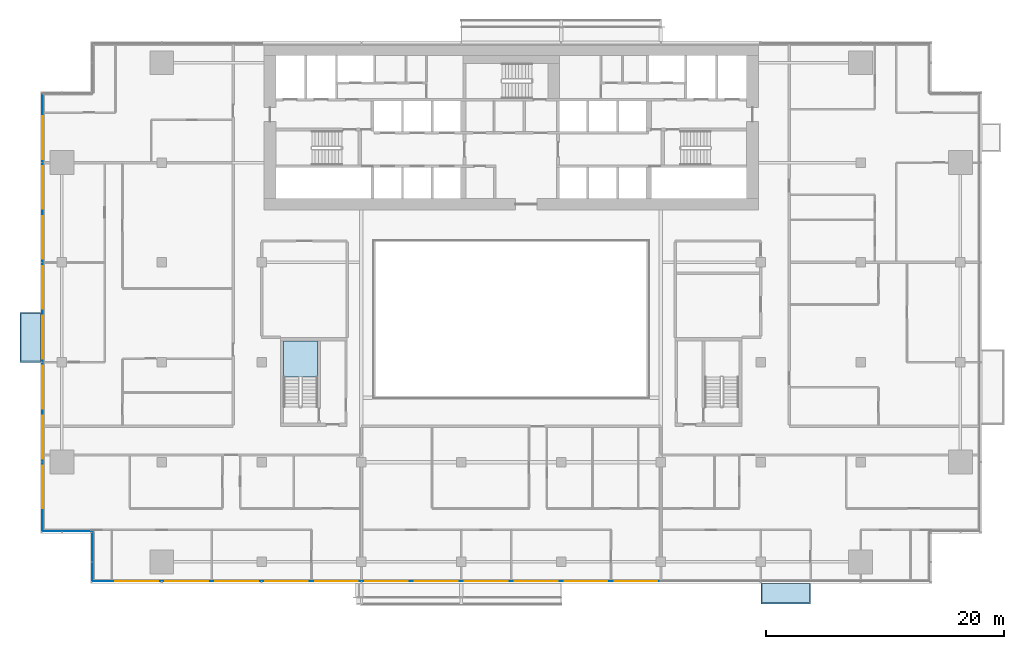
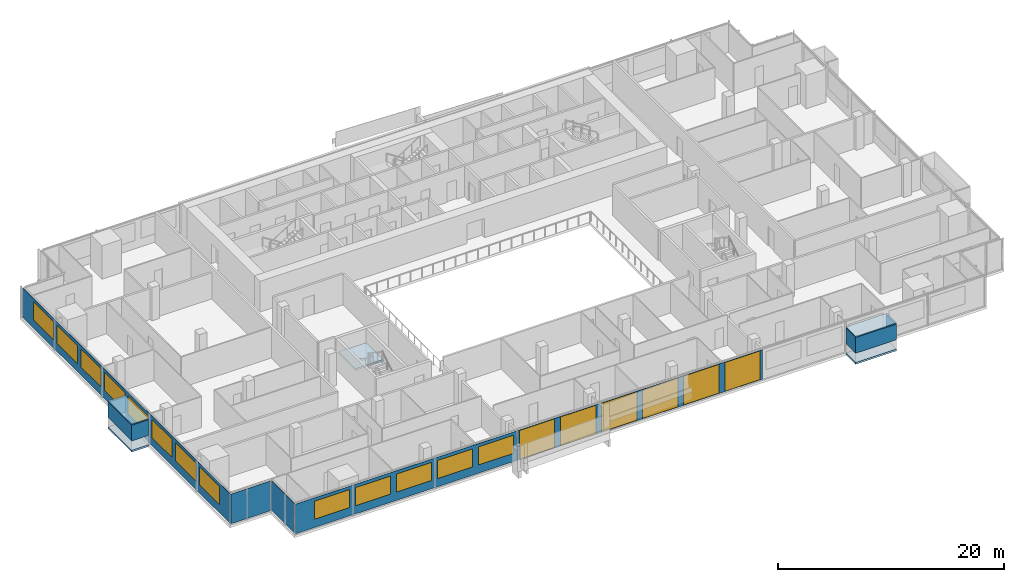
# One storey, part 14 of 26: 19 windows, 9 plates, 3 slabs, 19 openings, 5 elements without a shape of their own.
"""IFC4 building model written with IfcOpenShell, lengths in metres."""

from ifc_helpers import new_model, si_unit, direction, frame, frame_2d, origin, place, context, subcontext, project, spatial, polyline, rectangle, outline, extrude, material, layer, layer_set, type_object, element, fill, aggregate, save


model = new_model("IFC4")

# Units and contexts
model_context = context("Model", 3, precision=1e-05, world=origin(), true_north=direction((0.0, 1.0)))
body_context = subcontext(model_context, "Body", "Model", "MODEL_VIEW")
ifc_project = project(units=[si_unit("LENGTHUNIT", "METRE"), si_unit("AREAUNIT", "SQUARE_METRE"), si_unit("VOLUMEUNIT", "CUBIC_METRE"), si_unit("PLANEANGLEUNIT", "RADIAN"), si_unit("MASSUNIT", "GRAM", prefix="KILO")], contexts=[model_context])

# Site, building, storey
site_placement = place(None, origin())
site = spatial("IfcSite", under=ifc_project, at=site_placement, CompositionType="ELEMENT")
building_placement = place(site_placement, origin())
building = spatial("IfcBuilding", under=site, at=building_placement, Name="Saffron Gate Tower", CompositionType="ELEMENT")
storey_placement = place(building_placement, frame((0.0, 0.0, 120.449951171875)))
storey = spatial("IfcBuildingStorey", under=building, at=storey_placement, Name="L28", CompositionType="ELEMENT", Elevation=120.449951171875)

# Curtain wall, plates, openings, windows
ifc_material_1 = material(Name="Aluminium, bronze anodised", Category="aluminium")
curtain_wall_type_1 = type_object("IfcCurtainWallType", Name="CWS1 curtain wall front facade", PredefinedType="NOTDEFINED", material=ifc_material_1)
curtain_wall_1_placement = place(storey_placement, origin())
curtain_wall_1 = element("IfcCurtainWall", 1, at=curtain_wall_1_placement, inside=storey, type_object=curtain_wall_type_1, Name="CWS1 run 1", PredefinedType="NOTDEFINED")
ifc_material_2 = material(Name="Clear low-iron laminated glass", Category="glass")
ifc_layer_1 = layer(ifc_material_2, 0.028076171875)
ifc_layer_set_1 = layer_set([ifc_layer_1], Name="CWS1 clear glass")
plate_type_1 = type_object("IfcPlateType", Name="CWS1 clear glass", PredefinedType="CURTAIN_PANEL", material=ifc_layer_set_1)
plate_1_placement = place(storey_placement, frame((75.030029296875, 30.174072265625, 0.0), z_axis=(0.0, 0.0, 1.0), x_axis=(1.0, 0.0, 0.0)))
plate_1 = element("IfcPlate", 2, at=plate_1_placement, type_object=plate_type_1, Name="CWS1 clear glass panel", PredefinedType="CURTAIN_PANEL", context=body_context, shape_type="SweptSolid", body=[
    extrude(rectangle(XDim=25.139892578125, YDim=0.028076171875, at=frame_2d((12.56982421875, 0.0))), origin(), (0.0, 0.0, 1.0), 3.199951171875),
])
opening_1_placement = place(plate_1_placement, frame((0.27001953125, 0.0, 0.050048828125)))
opening_1 = element("IfcOpeningElement", 3, at=opening_1_placement, cuts=plate_1, Name="Opening WA", PredefinedType="OPENING", context=body_context, shape_type="SweptSolid", body=[
    extrude(rectangle(XDim=3.60009765625, YDim=3.10009765625, at=frame_2d((1.800048828125, 1.550048828125))), frame((0.0, 0.02392578125, 0.0), z_axis=(0.0, -1.0, 0.0), x_axis=(1.0, 0.0, 0.0)), (0.0, 0.0, 1.0), 0.048095703125),
])
opening_2_placement = place(plate_1_placement, frame((4.469970703125, 0.0, 0.050048828125)))
opening_2 = element("IfcOpeningElement", 4, at=opening_2_placement, cuts=plate_1, Name="Opening WA", PredefinedType="OPENING", context=body_context, shape_type="SweptSolid", body=[
    extrude(rectangle(XDim=3.60009765625, YDim=3.10009765625, at=frame_2d((1.800048828125, 1.550048828125))), frame((0.0, 0.02392578125, 0.0), z_axis=(0.0, -1.0, 0.0), x_axis=(1.0, 0.0, 0.0)), (0.0, 0.0, 1.0), 0.048095703125),
])
opening_3_placement = place(plate_1_placement, frame((8.669921875, 0.0, 0.050048828125)))
opening_3 = element("IfcOpeningElement", 5, at=opening_3_placement, cuts=plate_1, Name="Opening WA", PredefinedType="OPENING", context=body_context, shape_type="SweptSolid", body=[
    extrude(rectangle(XDim=3.60009765625, YDim=3.10009765625, at=frame_2d((1.800048828125, 1.550048828125))), frame((0.0, 0.02392578125, 0.0), z_axis=(0.0, -1.0, 0.0), x_axis=(1.0, 0.0, 0.0)), (0.0, 0.0, 1.0), 0.048095703125),
])
opening_4_placement = place(plate_1_placement, frame((12.8701171875, 0.0, 0.050048828125)))
opening_4 = element("IfcOpeningElement", 6, at=opening_4_placement, cuts=plate_1, Name="Opening WA", PredefinedType="OPENING", context=body_context, shape_type="SweptSolid", body=[
    extrude(rectangle(XDim=3.60009765625, YDim=3.10009765625, at=frame_2d((1.800048828125, 1.550048828125))), frame((0.0, 0.02392578125, 0.0), z_axis=(0.0, -1.0, 0.0), x_axis=(1.0, 0.0, 0.0)), (0.0, 0.0, 1.0), 0.048095703125),
])
opening_5_placement = place(plate_1_placement, frame((17.070068359375, 0.0, 0.050048828125)))
opening_5 = element("IfcOpeningElement", 7, at=opening_5_placement, cuts=plate_1, Name="Opening WA", PredefinedType="OPENING", context=body_context, shape_type="SweptSolid", body=[
    extrude(rectangle(XDim=3.60009765625, YDim=3.10009765625, at=frame_2d((1.800048828125, 1.550048828125))), frame((0.0, 0.02392578125, 0.0), z_axis=(0.0, -1.0, 0.0), x_axis=(1.0, 0.0, 0.0)), (0.0, 0.0, 1.0), 0.048095703125),
])
opening_6_placement = place(plate_1_placement, frame((21.27001953125, 0.0, 0.050048828125)))
opening_6 = element("IfcOpeningElement", 8, at=opening_6_placement, cuts=plate_1, Name="Opening WA", PredefinedType="OPENING", context=body_context, shape_type="SweptSolid", body=[
    extrude(rectangle(XDim=3.60009765625, YDim=3.10009765625, at=frame_2d((1.800048828125, 1.550048828125))), frame((0.0, 0.02392578125, 0.0), z_axis=(0.0, -1.0, 0.0), x_axis=(1.0, 0.0, 0.0)), (0.0, 0.0, 1.0), 0.048095703125),
])
ifc_material_3 = material(Name="Clear low-iron laminated glass in bronze frame", Category="glass")
ifc_layer_2 = layer(ifc_material_3, 0.06005859375)
ifc_layer_set_2 = layer_set([ifc_layer_2], Name="WA operable atrium unit 3600x3100")
window_type_1 = type_object("IfcWindowType", Name="WA operable atrium unit 3600x3100", PartitioningType="DOUBLE_PANEL_HORIZONTAL", PredefinedType="WINDOW", material=ifc_layer_set_2)
window_1_placement = place(opening_1_placement, origin())
window_1 = element("IfcWindow", 9, at=window_1_placement, type_object=window_type_1, Name="WA operable atrium unit", OverallHeight=3.10009765625, OverallWidth=3.60009765625, PartitioningType="SINGLE_PANEL", PredefinedType="WINDOW", context=body_context, shape_type="SweptSolid", body=[
    extrude(rectangle(XDim=3.60009765625, YDim=3.10009765625, at=frame_2d((1.800048828125, 1.550048828125))), frame((0.0, 0.013671875, 0.0), z_axis=(0.0, -1.0, 0.0), x_axis=(1.0, 0.0, 0.0)), (0.0, 0.0, 1.0), 0.027587890625),
])
fill(opening_1, window_1)
window_2_placement = place(opening_2_placement, origin())
window_2 = element("IfcWindow", 10, at=window_2_placement, type_object=window_type_1, Name="WA operable atrium unit", OverallHeight=3.10009765625, OverallWidth=3.60009765625, PartitioningType="SINGLE_PANEL", PredefinedType="WINDOW", context=body_context, shape_type="SweptSolid", body=[
    extrude(rectangle(XDim=3.60009765625, YDim=3.10009765625, at=frame_2d((1.800048828125, 1.550048828125))), frame((0.0, 0.013671875, 0.0), z_axis=(0.0, -1.0, 0.0), x_axis=(1.0, 0.0, 0.0)), (0.0, 0.0, 1.0), 0.027587890625),
])
fill(opening_2, window_2)
window_3_placement = place(opening_3_placement, origin())
window_3 = element("IfcWindow", 11, at=window_3_placement, type_object=window_type_1, Name="WA operable atrium unit", OverallHeight=3.10009765625, OverallWidth=3.60009765625, PartitioningType="SINGLE_PANEL", PredefinedType="WINDOW", context=body_context, shape_type="SweptSolid", body=[
    extrude(rectangle(XDim=3.60009765625, YDim=3.10009765625, at=frame_2d((1.800048828125, 1.550048828125))), frame((0.0, 0.013671875, 0.0), z_axis=(0.0, -1.0, 0.0), x_axis=(1.0, 0.0, 0.0)), (0.0, 0.0, 1.0), 0.027587890625),
])
fill(opening_3, window_3)
window_4_placement = place(opening_4_placement, origin())
window_4 = element("IfcWindow", 12, at=window_4_placement, type_object=window_type_1, Name="WA operable atrium unit", OverallHeight=3.10009765625, OverallWidth=3.60009765625, PartitioningType="SINGLE_PANEL", PredefinedType="WINDOW", context=body_context, shape_type="SweptSolid", body=[
    extrude(rectangle(XDim=3.60009765625, YDim=3.10009765625, at=frame_2d((1.800048828125, 1.550048828125))), frame((0.0, 0.013671875, 0.0), z_axis=(0.0, -1.0, 0.0), x_axis=(1.0, 0.0, 0.0)), (0.0, 0.0, 1.0), 0.027587890625),
])
fill(opening_4, window_4)
window_5_placement = place(opening_5_placement, origin())
window_5 = element("IfcWindow", 13, at=window_5_placement, type_object=window_type_1, Name="WA operable atrium unit", OverallHeight=3.10009765625, OverallWidth=3.60009765625, PartitioningType="SINGLE_PANEL", PredefinedType="WINDOW", context=body_context, shape_type="SweptSolid", body=[
    extrude(rectangle(XDim=3.60009765625, YDim=3.10009765625, at=frame_2d((1.800048828125, 1.550048828125))), frame((0.0, 0.013671875, 0.0), z_axis=(0.0, -1.0, 0.0), x_axis=(1.0, 0.0, 0.0)), (0.0, 0.0, 1.0), 0.027587890625),
])
fill(opening_5, window_5)
window_6_placement = place(opening_6_placement, origin())
window_6 = element("IfcWindow", 14, at=window_6_placement, type_object=window_type_1, Name="WA operable atrium unit", OverallHeight=3.10009765625, OverallWidth=3.60009765625, PartitioningType="SINGLE_PANEL", PredefinedType="WINDOW", context=body_context, shape_type="SweptSolid", body=[
    extrude(rectangle(XDim=3.60009765625, YDim=3.10009765625, at=frame_2d((1.800048828125, 1.550048828125))), frame((0.0, 0.013671875, 0.0), z_axis=(0.0, -1.0, 0.0), x_axis=(1.0, 0.0, 0.0)), (0.0, 0.0, 1.0), 0.027587890625),
])
fill(opening_6, window_6)
ifc_material_4 = material(Name="Fritted bronze-tinted laminated glass", Category="glass")
ifc_layer_3 = layer(ifc_material_4, 0.028076171875)
ifc_layer_set_3 = layer_set([ifc_layer_3], Name="CWS1 fixed glass")
plate_type_2 = type_object("IfcPlateType", Name="CWS1 fixed glass", PredefinedType="CURTAIN_PANEL", material=ifc_layer_set_3)
plate_2_placement = place(storey_placement, frame((52.387939453125, 30.174072265625, 0.0), z_axis=(0.0, 0.0, 1.0), x_axis=(1.0, 0.0, 0.0)))
plate_2 = element("IfcPlate", 15, at=plate_2_placement, type_object=plate_type_2, Name="CWS1 glass panel", PredefinedType="CURTAIN_PANEL", context=body_context, shape_type="SweptSolid", body=[
    extrude(rectangle(XDim=22.64208984375, YDim=0.028076171875, at=frame_2d((11.321044921875, 0.0))), origin(), (0.0, 0.0, 1.0), 3.199951171875),
])
opening_7_placement = place(plate_2_placement, frame((1.912109375, 0.0, 0.89990234375)))
opening_7 = element("IfcOpeningElement", 16, at=opening_7_placement, cuts=plate_2, Name="Opening W1", PredefinedType="OPENING", context=body_context, shape_type="SweptSolid", body=[
    extrude(rectangle(XDim=3.60009765625, YDim=1.949951171875, at=frame_2d((1.800048828125, 0.97509765625))), frame((0.0, 0.02392578125, 0.0), z_axis=(0.0, -1.0, 0.0), x_axis=(1.0, 0.0, 0.0)), (0.0, 0.0, 1.0), 0.048095703125),
])
opening_8_placement = place(plate_2_placement, frame((6.112060546875, 0.0, 0.89990234375)))
opening_8 = element("IfcOpeningElement", 17, at=opening_8_placement, cuts=plate_2, Name="Opening W1", PredefinedType="OPENING", context=body_context, shape_type="SweptSolid", body=[
    extrude(rectangle(XDim=3.60009765625, YDim=1.949951171875, at=frame_2d((1.800048828125, 0.97509765625))), frame((0.0, 0.02392578125, 0.0), z_axis=(0.0, -1.0, 0.0), x_axis=(1.0, 0.0, 0.0)), (0.0, 0.0, 1.0), 0.048095703125),
])
opening_9_placement = place(plate_2_placement, frame((10.31201171875, 0.0, 0.89990234375)))
opening_9 = element("IfcOpeningElement", 18, at=opening_9_placement, cuts=plate_2, Name="Opening W1", PredefinedType="OPENING", context=body_context, shape_type="SweptSolid", body=[
    extrude(rectangle(XDim=3.60009765625, YDim=1.949951171875, at=frame_2d((1.800048828125, 0.97509765625))), frame((0.0, 0.02392578125, 0.0), z_axis=(0.0, -1.0, 0.0), x_axis=(1.0, 0.0, 0.0)), (0.0, 0.0, 1.0), 0.048095703125),
])
opening_10_placement = place(plate_2_placement, frame((14.511962890625, 0.0, 0.89990234375)))
opening_10 = element("IfcOpeningElement", 19, at=opening_10_placement, cuts=plate_2, Name="Opening W1", PredefinedType="OPENING", context=body_context, shape_type="SweptSolid", body=[
    extrude(rectangle(XDim=3.60009765625, YDim=1.949951171875, at=frame_2d((1.800048828125, 0.97509765625))), frame((0.0, 0.02392578125, 0.0), z_axis=(0.0, -1.0, 0.0), x_axis=(1.0, 0.0, 0.0)), (0.0, 0.0, 1.0), 0.048095703125),
])
opening_11_placement = place(plate_2_placement, frame((18.7119140625, 0.0, 0.89990234375)))
opening_11 = element("IfcOpeningElement", 20, at=opening_11_placement, cuts=plate_2, Name="Opening W1", PredefinedType="OPENING", context=body_context, shape_type="SweptSolid", body=[
    extrude(rectangle(XDim=3.60009765625, YDim=1.949951171875, at=frame_2d((1.800048828125, 0.97509765625))), frame((0.0, 0.02392578125, 0.0), z_axis=(0.0, -1.0, 0.0), x_axis=(1.0, 0.0, 0.0)), (0.0, 0.0, 1.0), 0.048095703125),
])
ifc_material_5 = material(Name="Fritted bronze-tinted laminated glass in bronze frame", Category="glass")
ifc_layer_4 = layer(ifc_material_5, 0.06005859375)
ifc_layer_set_4 = layer_set([ifc_layer_4], Name="W1 operable panel 3600x1950")
window_type_2 = type_object("IfcWindowType", Name="W1 operable panel 3600x1950", PartitioningType="DOUBLE_PANEL_HORIZONTAL", PredefinedType="WINDOW", material=ifc_layer_set_4)
window_7_placement = place(opening_7_placement, origin())
window_7 = element("IfcWindow", 21, at=window_7_placement, type_object=window_type_2, Name="W1 operable panel", OverallHeight=1.949951171875, OverallWidth=3.60009765625, PartitioningType="SINGLE_PANEL", PredefinedType="WINDOW", context=body_context, shape_type="SweptSolid", body=[
    extrude(rectangle(XDim=3.60009765625, YDim=1.949951171875, at=frame_2d((1.800048828125, 0.97509765625))), frame((0.0, 0.013671875, 0.0), z_axis=(0.0, -1.0, 0.0), x_axis=(1.0, 0.0, 0.0)), (0.0, 0.0, 1.0), 0.027587890625),
])
fill(opening_7, window_7)
window_8_placement = place(opening_8_placement, origin())
window_8 = element("IfcWindow", 22, at=window_8_placement, type_object=window_type_2, Name="W1 operable panel", OverallHeight=1.949951171875, OverallWidth=3.60009765625, PartitioningType="SINGLE_PANEL", PredefinedType="WINDOW", context=body_context, shape_type="SweptSolid", body=[
    extrude(rectangle(XDim=3.60009765625, YDim=1.949951171875, at=frame_2d((1.800048828125, 0.97509765625))), frame((0.0, 0.013671875, 0.0), z_axis=(0.0, -1.0, 0.0), x_axis=(1.0, 0.0, 0.0)), (0.0, 0.0, 1.0), 0.027587890625),
])
fill(opening_8, window_8)
window_9_placement = place(opening_9_placement, origin())
window_9 = element("IfcWindow", 23, at=window_9_placement, type_object=window_type_2, Name="W1 operable panel", OverallHeight=1.949951171875, OverallWidth=3.60009765625, PartitioningType="SINGLE_PANEL", PredefinedType="WINDOW", context=body_context, shape_type="SweptSolid", body=[
    extrude(rectangle(XDim=3.60009765625, YDim=1.949951171875, at=frame_2d((1.800048828125, 0.97509765625))), frame((0.0, 0.013671875, 0.0), z_axis=(0.0, -1.0, 0.0), x_axis=(1.0, 0.0, 0.0)), (0.0, 0.0, 1.0), 0.027587890625),
])
fill(opening_9, window_9)
window_10_placement = place(opening_10_placement, origin())
window_10 = element("IfcWindow", 24, at=window_10_placement, type_object=window_type_2, Name="W1 operable panel", OverallHeight=1.949951171875, OverallWidth=3.60009765625, PartitioningType="SINGLE_PANEL", PredefinedType="WINDOW", context=body_context, shape_type="SweptSolid", body=[
    extrude(rectangle(XDim=3.60009765625, YDim=1.949951171875, at=frame_2d((1.800048828125, 0.97509765625))), frame((0.0, 0.013671875, 0.0), z_axis=(0.0, -1.0, 0.0), x_axis=(1.0, 0.0, 0.0)), (0.0, 0.0, 1.0), 0.027587890625),
])
fill(opening_10, window_10)
window_11_placement = place(opening_11_placement, origin())
window_11 = element("IfcWindow", 25, at=window_11_placement, type_object=window_type_2, Name="W1 operable panel", OverallHeight=1.949951171875, OverallWidth=3.60009765625, PartitioningType="SINGLE_PANEL", PredefinedType="WINDOW", context=body_context, shape_type="SweptSolid", body=[
    extrude(rectangle(XDim=3.60009765625, YDim=1.949951171875, at=frame_2d((1.800048828125, 0.97509765625))), frame((0.0, 0.013671875, 0.0), z_axis=(0.0, -1.0, 0.0), x_axis=(1.0, 0.0, 0.0)), (0.0, 0.0, 1.0), 0.027587890625),
])
fill(opening_11, window_11)
aggregate(curtain_wall_1, [plate_2, plate_1, window_7, window_8, window_9, window_10, window_11, window_1, window_2, window_3, window_4, window_5, window_6])

# Curtain wall, plate, openings, windows
curtain_wall_type_2 = type_object("IfcCurtainWallType", Name="CWS2 curtain wall side facades", PredefinedType="NOTDEFINED", material=ifc_material_1)
curtain_wall_2_placement = place(storey_placement, origin())
curtain_wall_2 = element("IfcCurtainWall", 26, at=curtain_wall_2_placement, inside=storey, type_object=curtain_wall_type_2, Name="CWS2 run 10", PredefinedType="NOTDEFINED")
ifc_layer_5 = layer(ifc_material_4, 0.028076171875)
ifc_layer_set_5 = layer_set([ifc_layer_5], Name="CWS2 fixed glass")
plate_type_3 = type_object("IfcPlateType", Name="CWS2 fixed glass", PredefinedType="CURTAIN_PANEL", material=ifc_layer_set_5)
plate_3_placement = place(storey_placement, frame((48.174072265625, 71.2119140625, 0.0), z_axis=(0.0, 0.0, 1.0), x_axis=(0.0, -1.0, 0.0)))
plate_3 = element("IfcPlate", 27, at=plate_3_placement, type_object=plate_type_3, Name="CWS2 glass panel", PredefinedType="CURTAIN_PANEL", context=body_context, shape_type="SweptSolid", body=[
    extrude(rectangle(XDim=36.823974609375, YDim=0.028076171875, at=frame_2d((18.412109375, 0.0))), origin(), (0.0, 0.0, 1.0), 3.199951171875),
])
opening_12_placement = place(plate_3_placement, frame((1.912109375, 0.0, 0.89990234375)))
opening_12 = element("IfcOpeningElement", 28, at=opening_12_placement, cuts=plate_3, Name="Opening W1", PredefinedType="OPENING", context=body_context, shape_type="SweptSolid", body=[
    extrude(rectangle(XDim=3.60009765625, YDim=1.949951171875, at=frame_2d((1.800048828125, 0.97509765625))), frame((0.0, 0.02392578125, 0.0), z_axis=(0.0, -1.0, 0.0), x_axis=(1.0, 0.0, 0.0)), (0.0, 0.0, 1.0), 0.048095703125),
])
opening_13_placement = place(plate_3_placement, frame((6.112060546875, 0.0, 0.89990234375)))
opening_13 = element("IfcOpeningElement", 29, at=opening_13_placement, cuts=plate_3, Name="Opening W1", PredefinedType="OPENING", context=body_context, shape_type="SweptSolid", body=[
    extrude(rectangle(XDim=3.60009765625, YDim=1.949951171875, at=frame_2d((1.800048828125, 0.97509765625))), frame((0.0, 0.02392578125, 0.0), z_axis=(0.0, -1.0, 0.0), x_axis=(1.0, 0.0, 0.0)), (0.0, 0.0, 1.0), 0.048095703125),
])
opening_14_placement = place(plate_3_placement, frame((10.31201171875, 0.0, 0.89990234375)))
opening_14 = element("IfcOpeningElement", 30, at=opening_14_placement, cuts=plate_3, Name="Opening W1", PredefinedType="OPENING", context=body_context, shape_type="SweptSolid", body=[
    extrude(rectangle(XDim=3.60009765625, YDim=1.949951171875, at=frame_2d((1.800048828125, 0.97509765625))), frame((0.0, 0.02392578125, 0.0), z_axis=(0.0, -1.0, 0.0), x_axis=(1.0, 0.0, 0.0)), (0.0, 0.0, 1.0), 0.048095703125),
])
opening_15_placement = place(plate_3_placement, frame((14.511962890625, 0.0, 0.89990234375)))
opening_15 = element("IfcOpeningElement", 31, at=opening_15_placement, cuts=plate_3, Name="Opening W1", PredefinedType="OPENING", context=body_context, shape_type="SweptSolid", body=[
    extrude(rectangle(XDim=3.60009765625, YDim=1.949951171875, at=frame_2d((1.800048828125, 0.97509765625))), frame((0.0, 0.02392578125, 0.0), z_axis=(0.0, -1.0, 0.0), x_axis=(1.0, 0.0, 0.0)), (0.0, 0.0, 1.0), 0.048095703125),
])
opening_16_placement = place(plate_3_placement, frame((18.7119140625, 0.0, 0.89990234375)))
opening_16 = element("IfcOpeningElement", 32, at=opening_16_placement, cuts=plate_3, Name="Opening W1", PredefinedType="OPENING", context=body_context, shape_type="SweptSolid", body=[
    extrude(rectangle(XDim=3.60009765625, YDim=1.949951171875, at=frame_2d((1.800048828125, 0.97509765625))), frame((0.0, 0.02392578125, 0.0), z_axis=(0.0, -1.0, 0.0), x_axis=(1.0, 0.0, 0.0)), (0.0, 0.0, 1.0), 0.048095703125),
])
opening_17_placement = place(plate_3_placement, frame((22.912109375, 0.0, 0.89990234375)))
opening_17 = element("IfcOpeningElement", 33, at=opening_17_placement, cuts=plate_3, Name="Opening W1", PredefinedType="OPENING", context=body_context, shape_type="SweptSolid", body=[
    extrude(rectangle(XDim=3.60009765625, YDim=1.949951171875, at=frame_2d((1.800048828125, 0.97509765625))), frame((0.0, 0.02392578125, 0.0), z_axis=(0.0, -1.0, 0.0), x_axis=(1.0, 0.0, 0.0)), (0.0, 0.0, 1.0), 0.048095703125),
])
opening_18_placement = place(plate_3_placement, frame((27.112060546875, 0.0, 0.89990234375)))
opening_18 = element("IfcOpeningElement", 34, at=opening_18_placement, cuts=plate_3, Name="Opening W1", PredefinedType="OPENING", context=body_context, shape_type="SweptSolid", body=[
    extrude(rectangle(XDim=3.60009765625, YDim=1.949951171875, at=frame_2d((1.800048828125, 0.97509765625))), frame((0.0, 0.02392578125, 0.0), z_axis=(0.0, -1.0, 0.0), x_axis=(1.0, 0.0, 0.0)), (0.0, 0.0, 1.0), 0.048095703125),
])
opening_19_placement = place(plate_3_placement, frame((31.31201171875, 0.0, 0.89990234375)))
opening_19 = element("IfcOpeningElement", 35, at=opening_19_placement, cuts=plate_3, Name="Opening W1", PredefinedType="OPENING", context=body_context, shape_type="SweptSolid", body=[
    extrude(rectangle(XDim=3.60009765625, YDim=1.949951171875, at=frame_2d((1.800048828125, 0.97509765625))), frame((0.0, 0.02392578125, 0.0), z_axis=(0.0, -1.0, 0.0), x_axis=(1.0, 0.0, 0.0)), (0.0, 0.0, 1.0), 0.048095703125),
])
window_12_placement = place(opening_12_placement, origin())
window_12 = element("IfcWindow", 36, at=window_12_placement, type_object=window_type_2, Name="W1 operable panel", OverallHeight=1.949951171875, OverallWidth=3.60009765625, PartitioningType="SINGLE_PANEL", PredefinedType="WINDOW", context=body_context, shape_type="SweptSolid", body=[
    extrude(rectangle(XDim=3.60009765625, YDim=1.949951171875, at=frame_2d((1.800048828125, 0.97509765625))), frame((0.0, 0.013671875, 0.0), z_axis=(0.0, -1.0, 0.0), x_axis=(1.0, 0.0, 0.0)), (0.0, 0.0, 1.0), 0.027587890625),
])
fill(opening_12, window_12)
window_13_placement = place(opening_13_placement, origin())
window_13 = element("IfcWindow", 37, at=window_13_placement, type_object=window_type_2, Name="W1 operable panel", OverallHeight=1.949951171875, OverallWidth=3.60009765625, PartitioningType="SINGLE_PANEL", PredefinedType="WINDOW", context=body_context, shape_type="SweptSolid", body=[
    extrude(rectangle(XDim=3.60009765625, YDim=1.949951171875, at=frame_2d((1.800048828125, 0.97509765625))), frame((0.0, 0.013671875, 0.0), z_axis=(0.0, -1.0, 0.0), x_axis=(1.0, 0.0, 0.0)), (0.0, 0.0, 1.0), 0.027587890625),
])
fill(opening_13, window_13)
window_14_placement = place(opening_14_placement, origin())
window_14 = element("IfcWindow", 38, at=window_14_placement, type_object=window_type_2, Name="W1 operable panel", OverallHeight=1.949951171875, OverallWidth=3.60009765625, PartitioningType="SINGLE_PANEL", PredefinedType="WINDOW", context=body_context, shape_type="SweptSolid", body=[
    extrude(rectangle(XDim=3.60009765625, YDim=1.949951171875, at=frame_2d((1.800048828125, 0.97509765625))), frame((0.0, 0.013671875, 0.0), z_axis=(0.0, -1.0, 0.0), x_axis=(1.0, 0.0, 0.0)), (0.0, 0.0, 1.0), 0.027587890625),
])
fill(opening_14, window_14)
window_15_placement = place(opening_15_placement, origin())
window_15 = element("IfcWindow", 39, at=window_15_placement, type_object=window_type_2, Name="W1 operable panel", OverallHeight=1.949951171875, OverallWidth=3.60009765625, PartitioningType="SINGLE_PANEL", PredefinedType="WINDOW", context=body_context, shape_type="SweptSolid", body=[
    extrude(rectangle(XDim=3.60009765625, YDim=1.949951171875, at=frame_2d((1.800048828125, 0.97509765625))), frame((0.0, 0.013671875, 0.0), z_axis=(0.0, -1.0, 0.0), x_axis=(1.0, 0.0, 0.0)), (0.0, 0.0, 1.0), 0.027587890625),
])
fill(opening_15, window_15)
window_16_placement = place(opening_16_placement, origin())
window_16 = element("IfcWindow", 40, at=window_16_placement, type_object=window_type_2, Name="W1 operable panel", OverallHeight=1.949951171875, OverallWidth=3.60009765625, PartitioningType="SINGLE_PANEL", PredefinedType="WINDOW", context=body_context, shape_type="SweptSolid", body=[
    extrude(rectangle(XDim=3.60009765625, YDim=1.949951171875, at=frame_2d((1.800048828125, 0.97509765625))), frame((0.0, 0.013671875, 0.0), z_axis=(0.0, -1.0, 0.0), x_axis=(1.0, 0.0, 0.0)), (0.0, 0.0, 1.0), 0.027587890625),
])
fill(opening_16, window_16)
window_17_placement = place(opening_17_placement, origin())
window_17 = element("IfcWindow", 41, at=window_17_placement, type_object=window_type_2, Name="W1 operable panel", OverallHeight=1.949951171875, OverallWidth=3.60009765625, PartitioningType="SINGLE_PANEL", PredefinedType="WINDOW", context=body_context, shape_type="SweptSolid", body=[
    extrude(rectangle(XDim=3.60009765625, YDim=1.949951171875, at=frame_2d((1.800048828125, 0.97509765625))), frame((0.0, 0.013671875, 0.0), z_axis=(0.0, -1.0, 0.0), x_axis=(1.0, 0.0, 0.0)), (0.0, 0.0, 1.0), 0.027587890625),
])
fill(opening_17, window_17)
window_18_placement = place(opening_18_placement, origin())
window_18 = element("IfcWindow", 42, at=window_18_placement, type_object=window_type_2, Name="W1 operable panel", OverallHeight=1.949951171875, OverallWidth=3.60009765625, PartitioningType="SINGLE_PANEL", PredefinedType="WINDOW", context=body_context, shape_type="SweptSolid", body=[
    extrude(rectangle(XDim=3.60009765625, YDim=1.949951171875, at=frame_2d((1.800048828125, 0.97509765625))), frame((0.0, 0.013671875, 0.0), z_axis=(0.0, -1.0, 0.0), x_axis=(1.0, 0.0, 0.0)), (0.0, 0.0, 1.0), 0.027587890625),
])
fill(opening_18, window_18)
window_19_placement = place(opening_19_placement, origin())
window_19 = element("IfcWindow", 43, at=window_19_placement, type_object=window_type_2, Name="W1 operable panel", OverallHeight=1.949951171875, OverallWidth=3.60009765625, PartitioningType="SINGLE_PANEL", PredefinedType="WINDOW", context=body_context, shape_type="SweptSolid", body=[
    extrude(rectangle(XDim=3.60009765625, YDim=1.949951171875, at=frame_2d((1.800048828125, 0.97509765625))), frame((0.0, 0.013671875, 0.0), z_axis=(0.0, -1.0, 0.0), x_axis=(1.0, 0.0, 0.0)), (0.0, 0.0, 1.0), 0.027587890625),
])
fill(opening_19, window_19)
aggregate(curtain_wall_2, [plate_3, window_12, window_13, window_14, window_15, window_16, window_17, window_18, window_19])

# Curtain wall, plate
curtain_wall_type_3 = type_object("IfcCurtainWallType", Name="CWS4 curtain wall corner returns", PredefinedType="NOTDEFINED", material=ifc_material_1)
curtain_wall_3_placement = place(storey_placement, origin())
curtain_wall_3 = element("IfcCurtainWall", 44, at=curtain_wall_3_placement, inside=storey, type_object=curtain_wall_type_3, Name="CWS4 run 11", PredefinedType="NOTDEFINED")
ifc_layer_6 = layer(ifc_material_4, 0.028076171875)
ifc_layer_set_6 = layer_set([ifc_layer_6], Name="CWS4 fixed glass")
plate_type_4 = type_object("IfcPlateType", Name="CWS4 fixed glass", PredefinedType="CURTAIN_PANEL", material=ifc_layer_set_6)
plate_4_placement = place(storey_placement, frame((48.18798828125, 34.3740234375, 0.0), z_axis=(0.0, 0.0, 1.0), x_axis=(1.0, 0.0, 0.0)))
plate_4 = element("IfcPlate", 45, at=plate_4_placement, type_object=plate_type_4, Name="CWS4 glass panel", PredefinedType="CURTAIN_PANEL", context=body_context, shape_type="SweptSolid", body=[
    extrude(rectangle(XDim=4.172119140625, YDim=0.028076171875, at=frame_2d((2.0859375, 0.0))), origin(), (0.0, 0.0, 1.0), 3.199951171875),
])
aggregate(curtain_wall_3, [plate_4])

curtain_wall_4_placement = place(storey_placement, origin())
curtain_wall_4 = element("IfcCurtainWall", 46, at=curtain_wall_4_placement, inside=storey, type_object=curtain_wall_type_3, Name="CWS4 run 12", PredefinedType="NOTDEFINED")
plate_5_placement = place(storey_placement, frame((52.3740234375, 34.360107421875, 0.0), z_axis=(0.0, 0.0, 1.0), x_axis=(0.0, -1.0, 0.0)))
plate_5 = element("IfcPlate", 47, at=plate_5_placement, type_object=plate_type_4, Name="CWS4 glass panel", PredefinedType="CURTAIN_PANEL", context=body_context, shape_type="SweptSolid", body=[
    extrude(rectangle(XDim=4.172119140625, YDim=0.028076171875, at=frame_2d((2.0859375, 0.0))), origin(), (0.0, 0.0, 1.0), 3.199951171875),
])
aggregate(curtain_wall_4, [plate_5])

# Stair, slab
ifc_material_6 = material(Name="Concrete C40", Category="concrete")
stair_type = type_object("IfcStairType", Name="ST7 Stair 1350 wide, 20 risers of 180", PredefinedType="HALF_TURN_STAIR", material=ifc_material_6)
stair_placement = place(storey_placement, origin())
stair = element("IfcStair", 48, at=stair_placement, inside=storey, type_object=stair_type, Name="L28 Exit stair D", PredefinedType="HALF_TURN_STAIR")
ifc_layer_7 = layer(ifc_material_6, 0.199951171875)
ifc_layer_set_7 = layer_set([ifc_layer_7], Name="SL1 Stair landing 200")
slab_type_1 = type_object("IfcSlabType", Name="SL1 Stair landing 200", PredefinedType="LANDING", material=ifc_layer_set_7)
slab_1_placement = place(storey_placement, frame((0.0, 0.0, 1.60009765625)))
slab_1 = element("IfcSlab", 49, at=slab_1_placement, type_object=slab_type_1, Name="ST-D landing 1", PredefinedType="LANDING", context=body_context, shape_type="SweptSolid", body=[
    extrude(outline(polyline([(71.300048828125, 47.3701171875), (71.300048828125, 50.39990234375), (68.449951171875, 50.39990234375), (68.449951171875, 47.3701171875), (71.300048828125, 47.3701171875)])), origin(), (0.0, 0.0, 1.0), 0.199951171875),
])
aggregate(stair, [slab_1])

# Slabs
ifc_material_7 = material(Name="Timber deck on bronze frame", Category="wood")
ifc_layer_8 = layer(ifc_material_7, 0.199951171875)
ifc_layer_set_8 = layer_set([ifc_layer_8], Name="WB1 box floor")
slab_type_2 = type_object("IfcSlabType", Name="WB1 box floor", PredefinedType="FLOOR", material=ifc_layer_set_8)
slab_2_placement = place(storey_placement, frame((0.0, 0.0, -0.199951171875)))
element("IfcSlab", 50, at=slab_2_placement, inside=storey, type_object=slab_type_2, Name="WINDOW BOX floor", PredefinedType="FLOOR", context=body_context, shape_type="SweptSolid", body=[
    extrude(outline(polyline([(108.60009765625, 30.0), (112.800048828125, 30.0), (112.800048828125, 28.26708984375), (108.60009765625, 28.26708984375), (108.60009765625, 30.0)])), origin(), (0.0, 0.0, 1.0), 0.199951171875),
])
slab_3_placement = place(storey_placement, frame((0.0, 0.0, -0.199951171875)))
element("IfcSlab", 51, at=slab_3_placement, inside=storey, type_object=slab_type_2, Name="WINDOW BOX floor", PredefinedType="FLOOR", context=body_context, shape_type="SweptSolid", body=[
    extrude(outline(polyline([(48.0, 52.800048828125), (48.0, 48.60009765625), (46.26708984375, 48.60009765625), (46.26708984375, 52.800048828125), (48.0, 52.800048828125)])), origin(), (0.0, 0.0, 1.0), 0.199951171875),
])

# Plates
ifc_layer_9 = layer(ifc_material_1, 0.1201171875)
ifc_layer_set_9 = layer_set([ifc_layer_9], Name="WB2 box roof")
plate_type_5 = type_object("IfcPlateType", Name="WB2 box roof", PredefinedType="SHEET", material=ifc_layer_set_9)
plate_6_placement = place(storey_placement, frame((0.0, 0.0, 2.699951171875)))
element("IfcPlate", 52, at=plate_6_placement, inside=storey, type_object=plate_type_5, Name="WINDOW BOX roof", PredefinedType="SHEET", context=body_context, shape_type="SweptSolid", body=[
    extrude(outline(polyline([(108.60009765625, 30.0), (112.800048828125, 30.0), (112.800048828125, 28.26708984375), (108.60009765625, 28.26708984375), (108.60009765625, 30.0)])), origin(), (0.0, 0.0, 1.0), 0.1201171875),
])
plate_7_placement = place(storey_placement, frame((0.0, 0.0, 2.699951171875)))
element("IfcPlate", 53, at=plate_7_placement, inside=storey, type_object=plate_type_5, Name="WINDOW BOX roof", PredefinedType="SHEET", context=body_context, shape_type="SweptSolid", body=[
    extrude(outline(polyline([(48.0, 52.800048828125), (48.0, 48.60009765625), (46.26708984375, 48.60009765625), (46.26708984375, 52.800048828125), (48.0, 52.800048828125)])), origin(), (0.0, 0.0, 1.0), 0.1201171875),
])
ifc_layer_10 = layer(ifc_material_2, 0.10009765625)
ifc_layer_set_10 = layer_set([ifc_layer_10], Name="WB6 box glazing")
plate_type_6 = type_object("IfcPlateType", Name="WB6 box glazing", PredefinedType="SHEET", material=ifc_layer_set_10)
plate_8_placement = place(storey_placement, frame((0.0, 0.0, 1.0)))
element("IfcPlate", 54, at=plate_8_placement, inside=storey, type_object=plate_type_6, Name="WINDOW BOX glazing", PredefinedType="SHEET", context=body_context, shape_type="SweptSolid", body=[
    extrude(outline(polyline([(108.60009765625, 30.0), (108.699951171875, 30.0), (108.699951171875, 28.366943359375), (112.699951171875, 28.366943359375), (112.699951171875, 30.0), (112.800048828125, 30.0), (112.800048828125, 28.26708984375), (108.60009765625, 28.26708984375), (108.60009765625, 30.0)])), origin(), (0.0, 0.0, 1.0), 1.699951171875),
])
plate_9_placement = place(storey_placement, frame((0.0, 0.0, 1.0)))
element("IfcPlate", 55, at=plate_9_placement, inside=storey, type_object=plate_type_6, Name="WINDOW BOX glazing", PredefinedType="SHEET", context=body_context, shape_type="SweptSolid", body=[
    extrude(outline(polyline([(48.0, 52.800048828125), (48.0, 52.699951171875), (46.366943359375, 52.699951171875), (46.366943359375, 48.699951171875), (48.0, 48.699951171875), (48.0, 48.60009765625), (46.26708984375, 48.60009765625), (46.26708984375, 52.800048828125), (48.0, 52.800048828125)])), origin(), (0.0, 0.0, 1.0), 1.699951171875),
])

save(model, "model.ifc")
